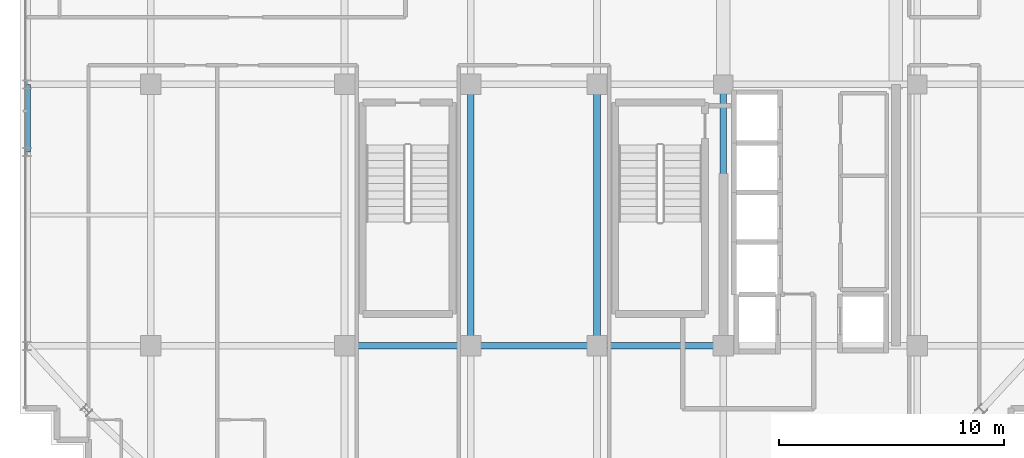
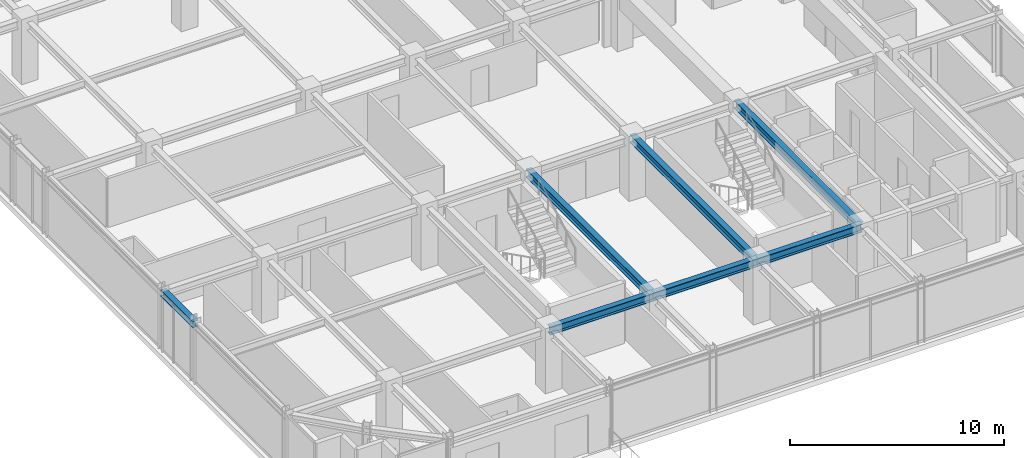
# One storey, part 8 of 33: 7 beams.
"""IFC4 building model written with IfcOpenShell, lengths in metres."""

from ifc_helpers import new_model, si_unit, direction, frame, origin, origin_2d, place, context, subcontext, project, spatial, i_section, extrude, source, transform, mapped, material, material_profile, profile_set, type_object, element, save


model = new_model("IFC4")

# Units and contexts
model_context = context("Model", 3, precision=1e-05, world=origin(), true_north=direction((0.0, 1.0)))
body_context = subcontext(model_context, "Body", "Model", "MODEL_VIEW")
ifc_project = project(units=[si_unit("LENGTHUNIT", "METRE"), si_unit("AREAUNIT", "SQUARE_METRE"), si_unit("VOLUMEUNIT", "CUBIC_METRE"), si_unit("PLANEANGLEUNIT", "RADIAN"), si_unit("MASSUNIT", "GRAM", prefix="KILO")], contexts=[model_context])

# Site, building, storey
site_placement = place(None, origin())
site = spatial("IfcSite", under=ifc_project, at=site_placement, CompositionType="ELEMENT")
building_placement = place(site_placement, origin())
building = spatial("IfcBuilding", under=site, at=building_placement, Name="Nahalor Promenade Grand Hotel", CompositionType="ELEMENT")
storey_placement = place(building_placement, frame((0.0, 0.0, 270.050048828125)))
storey = spatial("IfcBuildingStorey", under=building, at=storey_placement, Name="L69", CompositionType="ELEMENT", Elevation=270.050048828125)

# Beams
ifc_material = material(Name="Steel S355JR", Category="steel")
ifc_material_profile_1 = material_profile(ifc_material, i_section(OverallWidth=0.3, OverallDepth=0.45, WebThickness=0.014, FlangeThickness=0.026, at=origin_2d()), Name="HEB 450")
ifc_profile_set_1 = profile_set([ifc_material_profile_1], Name="Steel S355JR")
beam_type_1 = type_object("IfcBeamType", Name="Beam-Girder-HEB450", PredefinedType="BEAM", material=ifc_profile_set_1)
shared_shape_1 = source(origin(), body_context, "Body", "SweptSolid", [
    extrude(i_section(OverallWidth=0.3, OverallDepth=0.45, WebThickness=0.014, FlangeThickness=0.026, at=origin_2d()), origin(), (0.0, 0.0, 1.0), 5.599853515625),
])
for number, where, z_axis, x_axis, name in (
    (1, (-8.39990234375, -17.0, 3.224853515625), (1.0, 0.0, 0.0), (0.0, 1.0, 0.0), "BM-L69-GX-0-2"),
    (2, (2.800048828125, -17.0, 3.224853515625), (1.0, 0.0, 0.0), (0.0, 1.0, 0.0), "BM-L69-GX-0-4"),
):
    element("IfcBeam", number, at=place(storey_placement, frame(where, z_axis=z_axis, x_axis=x_axis)), inside=storey, type_object=beam_type_1, Name=name, PredefinedType="BEAM", context=body_context, shape_type="MappedRepresentation", body=[
        mapped(shared_shape_1, transform((0.0, 0.0, 0.0), scale=1.0)),
    ])
shared_shape_2 = source(origin(), body_context, "Body", "SweptSolid", [
    extrude(i_section(OverallWidth=0.3, OverallDepth=0.45, WebThickness=0.014, FlangeThickness=0.026, at=origin_2d()), origin(), (0.0, 0.0, 1.0), 5.60009765625),
])
beam_1_placement = place(storey_placement, frame((-2.800048828125, -17.0, 3.224853515625), z_axis=(1.0, 0.0, 0.0), x_axis=(0.0, 1.0, 0.0)))
element("IfcBeam", 3, at=beam_1_placement, inside=storey, type_object=beam_type_1, Name="BM-L69-GX-0-3", PredefinedType="BEAM", context=body_context, shape_type="MappedRepresentation", body=[
    mapped(shared_shape_2, transform((0.0, 0.0, 0.0), scale=1.0)),
])
shared_shape_3 = source(origin(), body_context, "Body", "SweptSolid", [
    extrude(i_section(OverallWidth=0.3, OverallDepth=0.45, WebThickness=0.014, FlangeThickness=0.026, at=origin_2d()), origin(), (0.0, 0.0, 1.0), 11.60009765625),
])
for number, where, z_axis, x_axis, name in (
    (4, (-2.800048828125, -17.0, 3.224853515625), (0.0, 1.0, 0.0), (-1.0, 0.0, 0.0), "BM-L69-GY-2-1"),
    (5, (2.800048828125, -17.0, 3.224853515625), (0.0, 1.0, 0.0), (-1.0, 0.0, 0.0), "BM-L69-GY-3-1"),
    (6, (8.39990234375, -17.0, 3.224853515625), (0.0, 1.0, 0.0), (-1.0, 0.0, 0.0), "BM-L69-GY-4-1"),
):
    element("IfcBeam", number, at=place(storey_placement, frame(where, z_axis=z_axis, x_axis=x_axis)), inside=storey, type_object=beam_type_1, Name=name, PredefinedType="BEAM", context=body_context, shape_type="MappedRepresentation", body=[
        mapped(shared_shape_3, transform((0.0, 0.0, 0.0), scale=1.0)),
    ])
ifc_material_profile_2 = material_profile(ifc_material, i_section(OverallWidth=0.3, OverallDepth=0.36, WebThickness=0.0125, FlangeThickness=0.0225, at=origin_2d()), Name="HEB 360")
ifc_profile_set_2 = profile_set([ifc_material_profile_2], Name="Steel S355JR")
beam_type_2 = type_object("IfcBeamType", Name="Beam-Spandrel-HEB360", PredefinedType="SPANDREL", material=ifc_profile_set_2)
shared_shape_4 = source(origin(), body_context, "Body", "SweptSolid", [
    extrude(i_section(OverallWidth=0.3, OverallDepth=0.36, WebThickness=0.0125, FlangeThickness=0.0225, at=origin_2d()), origin(), (0.0, 0.0, 1.0), 3.0),
])
beam_2_placement = place(storey_placement, frame((-22.47998046875, -8.39990234375, 3.27001953125), z_axis=(0.0, 1.0, 0.0), x_axis=(-1.0, 0.0, 0.0)))
element("IfcBeam", 7, at=beam_2_placement, inside=storey, type_object=beam_type_2, Name="BM-L69-SP-W-1", PredefinedType="SPANDREL", context=body_context, shape_type="MappedRepresentation", body=[
    mapped(shared_shape_4, transform((0.0, 0.0, 0.0), scale=1.0)),
])

save(model, "model.ifc")
